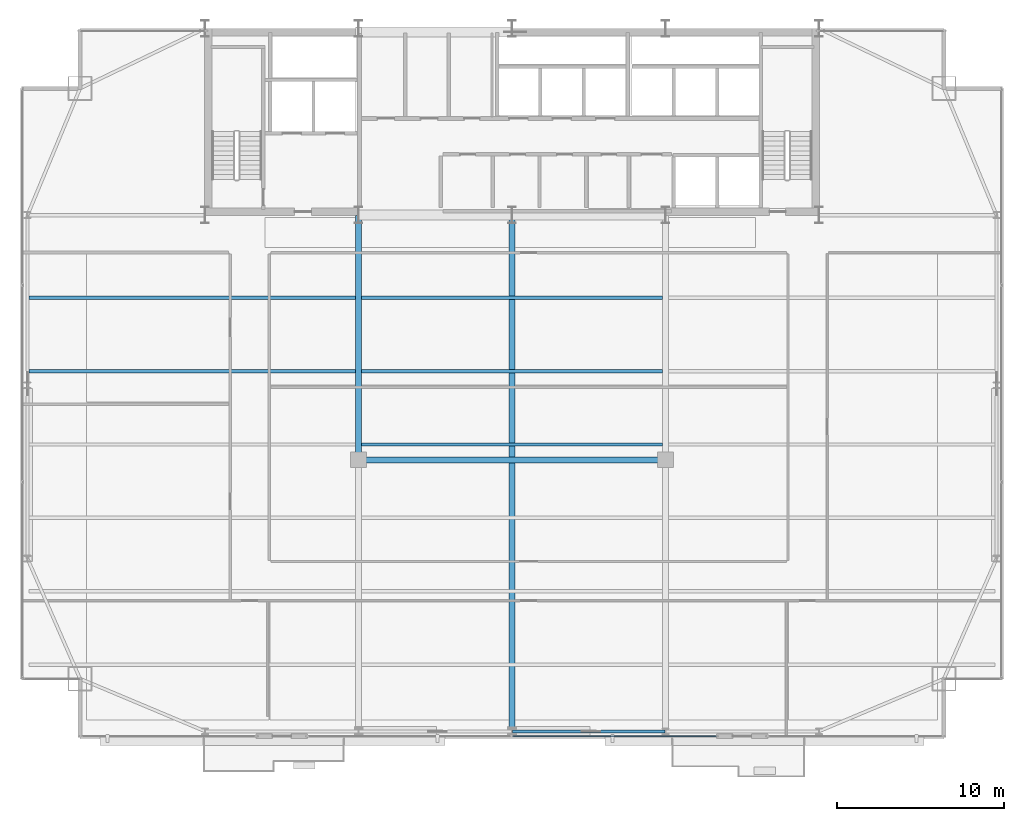
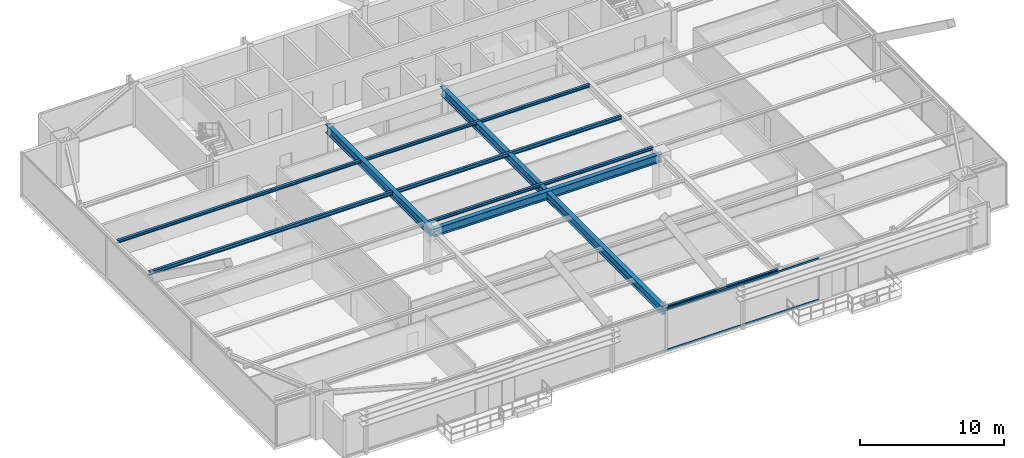
# One storey, part 11 of 37: 9 beams, 2 members, 1 element without a shape of its own.
"""IFC4 building model written with IfcOpenShell, lengths in metres."""

from ifc_helpers import new_model, si_unit, direction, frame, origin, origin_2d, place, context, subcontext, project, spatial, hollow_rectangle, i_section, extrude, source, transform, mapped, material, layer, layer_set, material_profile, profile_set, type_object, type_shapes, element, aggregate, save


model = new_model("IFC4")

# Units and contexts
model_context = context("Model", 3, precision=1e-05, world=origin(), true_north=direction((0.0, 1.0)))
body_context = subcontext(model_context, "Body", "Model", "MODEL_VIEW")
ifc_project = project(units=[si_unit("LENGTHUNIT", "METRE"), si_unit("AREAUNIT", "SQUARE_METRE"), si_unit("VOLUMEUNIT", "CUBIC_METRE"), si_unit("PLANEANGLEUNIT", "RADIAN"), si_unit("MASSUNIT", "GRAM", prefix="KILO")], contexts=[model_context])

# Site, building, storey
site_placement = place(None, origin())
site = spatial("IfcSite", under=ifc_project, at=site_placement, CompositionType="ELEMENT")
building_placement = place(site_placement, origin())
building = spatial("IfcBuilding", under=site, at=building_placement, Name="Varnel Quay Broadcast Tower", CompositionType="ELEMENT")
storey_placement = place(building_placement, frame((0.0, 0.0, 106.800048828125)))
storey = spatial("IfcBuildingStorey", under=building, at=storey_placement, Name="L25", CompositionType="ELEMENT", Elevation=106.800048828125)

# Beams
ifc_material_1 = material(Name="Structural Steel CSA G40.21 350W", Category="steel")
ifc_material_profile_1 = material_profile(ifc_material_1, i_section(OverallWidth=0.180908203125, OverallDepth=0.4169921875, WebThickness=0.010986328125, FlangeThickness=0.018310546875, FilletRadius=0.011962890625, at=origin_2d()), Name="W410X85")
ifc_profile_set_1 = profile_set([ifc_material_profile_1], Name="Structural Steel CSA G40.21 350W")
beam_type_1 = type_object("IfcBeamType", Name="Beam_W410X85", PredefinedType="SPANDREL", material=ifc_profile_set_1)
shared_shape_1 = source(origin(), body_context, "Body", "SweptSolid", [
    extrude(i_section(OverallWidth=0.180908203125, OverallDepth=0.4169921875, WebThickness=0.010986328125, FlangeThickness=0.018310546875, FilletRadius=0.011962890625, at=origin_2d()), origin(), (0.0, 0.0, 1.0), 9.159912109375),
])
type_shapes(beam_type_1, [shared_shape_1])
beam_1_placement = place(storey_placement, frame((34.02001953125, 4.64990234375, 3.341552734375), z_axis=(1.0, 0.0, 0.0), x_axis=(0.0, 1.0, 0.0)))
element("IfcBeam", 1, at=beam_1_placement, inside=storey, type_object=beam_type_1, Name="L25 South Spandrel TC-S3-TC-S4", PredefinedType="SPANDREL", context=body_context, shape_type="MappedRepresentation", body=[
    mapped(shared_shape_1, transform((0.0, 0.0, 0.0), x_axis=(1.0, 0.0, 0.0), y_axis=(0.0, 1.0, 0.0), z_axis=(0.0, 0.0, 1.0), scale=1.0)),
])
ifc_material_profile_2 = material_profile(ifc_material_1, i_section(OverallWidth=0.35498046875, OverallDepth=0.695068359375, WebThickness=0.015380859375, FlangeThickness=0.02490234375, FilletRadius=0.01806640625, at=origin_2d()), Name="W690X217")
ifc_profile_set_2 = profile_set([ifc_material_profile_2], Name="Structural Steel CSA G40.21 350W")
beam_type_2 = type_object("IfcBeamType", Name="Girder_W690X217", PredefinedType="BEAM", material=ifc_profile_set_2)
shared_shape_2 = source(origin(), body_context, "Body", "SweptSolid", [
    extrude(i_section(OverallWidth=0.35498046875, OverallDepth=0.695068359375, WebThickness=0.015380859375, FlangeThickness=0.02490234375, FilletRadius=0.01806640625, at=origin_2d()), origin(), (0.0, 0.0, 1.0), 14.630126953125),
])
beam_2_placement = place(storey_placement, frame((24.800048828125, 20.949951171875, 3.202392578125), z_axis=(0.0, 1.0, 0.0), x_axis=(-1.0, 0.0, 0.0)))
element("IfcBeam", 2, at=beam_2_placement, inside=storey, type_object=beam_type_2, Name="L25 Primary Girder IC-01-CC-S2", PredefinedType="BEAM", context=body_context, shape_type="MappedRepresentation", body=[
    mapped(shared_shape_2, transform((0.0, 0.0, 0.0), x_axis=(1.0, 0.0, 0.0), y_axis=(0.0, 1.0, 0.0), z_axis=(0.0, 0.0, 1.0), scale=1.0)),
])
shared_shape_3 = source(origin(), body_context, "Body", "SweptSolid", [
    extrude(i_section(OverallWidth=0.35498046875, OverallDepth=0.695068359375, WebThickness=0.015380859375, FlangeThickness=0.02490234375, FilletRadius=0.01806640625, at=origin_2d()), origin(), (0.0, 0.0, 1.0), 18.35986328125),
])
beam_3_placement = place(storey_placement, frame((24.820068359375, 20.929931640625, 3.202392578125), z_axis=(1.0, 0.0, 0.0), x_axis=(0.0, 1.0, 0.0)))
element("IfcBeam", 3, at=beam_3_placement, inside=storey, type_object=beam_type_2, Name="L25 Interior Spine Girder", PredefinedType="BEAM", context=body_context, shape_type="MappedRepresentation", body=[
    mapped(shared_shape_3, transform((0.0, 0.0, 0.0), x_axis=(1.0, 0.0, 0.0), y_axis=(0.0, 1.0, 0.0), z_axis=(0.0, 0.0, 1.0), scale=1.0)),
])
shared_shape_4 = source(origin(), body_context, "Body", "SweptSolid", [
    extrude(i_section(OverallWidth=0.35498046875, OverallDepth=0.695068359375, WebThickness=0.015380859375, FlangeThickness=0.02490234375, FilletRadius=0.01806640625, at=origin_2d()), origin(), (0.0, 0.0, 1.0), 30.91015625),
])
type_shapes(beam_type_2, [shared_shape_2, shared_shape_3, shared_shape_4])
beam_4_placement = place(storey_placement, frame((34.0, 4.669921875, 3.202392578125), z_axis=(0.0, 1.0, 0.0), x_axis=(-1.0, 0.0, 0.0)))
element("IfcBeam", 4, at=beam_4_placement, inside=storey, type_object=beam_type_2, Name="L25 Central Bay Girder", PredefinedType="BEAM", context=body_context, shape_type="MappedRepresentation", body=[
    mapped(shared_shape_4, transform((0.0, 0.0, 0.0), x_axis=(1.0, 0.0, 0.0), y_axis=(0.0, 1.0, 0.0), z_axis=(0.0, 0.0, 1.0), scale=1.0)),
])
ifc_material_profile_3 = material_profile(ifc_material_1, i_section(OverallWidth=0.202880859375, OverallDepth=0.302978515625, WebThickness=0.007568359375, FlangeThickness=0.01318359375, FilletRadius=0.011962890625, at=origin_2d()), Name="W310X60")
ifc_profile_set_3 = profile_set([ifc_material_profile_3], Name="Structural Steel CSA G40.21 350W")
beam_type_3 = type_object("IfcBeamType", Name="Beam_W310X60", PredefinedType="JOIST", material=ifc_profile_set_3)
shared_shape_5 = source(origin(), body_context, "Body", "SweptSolid", [
    extrude(i_section(OverallWidth=0.202880859375, OverallDepth=0.302978515625, WebThickness=0.007568359375, FlangeThickness=0.01318359375, FilletRadius=0.011962890625, at=origin_2d()), origin(), (0.0, 0.0, 1.0), 19.592041015625),
])
beam_5_placement = place(storey_placement, frame((5.035400390625, 26.25, 3.3984375), z_axis=(1.0, 0.0, 0.0), x_axis=(0.0, 1.0, 0.0)))
element("IfcBeam", 5, at=beam_5_placement, inside=storey, type_object=beam_type_3, Name="L25 West Floor Joist 5", PredefinedType="JOIST", context=body_context, shape_type="MappedRepresentation", body=[
    mapped(shared_shape_5, transform((0.0, 0.0, 0.0), x_axis=(1.0, 0.0, 0.0), y_axis=(0.0, 1.0, 0.0), z_axis=(0.0, 0.0, 1.0), scale=1.0)),
])
shared_shape_6 = source(origin(), body_context, "Body", "SweptSolid", [
    extrude(i_section(OverallWidth=0.202880859375, OverallDepth=0.302978515625, WebThickness=0.007568359375, FlangeThickness=0.01318359375, FilletRadius=0.011962890625, at=origin_2d()), origin(), (0.0, 0.0, 1.0), 18.05517578125),
])
type_shapes(beam_type_3, [shared_shape_5, shared_shape_6])
beam_6_placement = place(storey_placement, frame((24.972412109375, 26.25, 3.3984375), z_axis=(1.0, 0.0, 0.0), x_axis=(0.0, 1.0, 0.0)))
element("IfcBeam", 6, at=beam_6_placement, inside=storey, type_object=beam_type_3, Name="L25 Central Floor Joist 5", PredefinedType="JOIST", context=body_context, shape_type="MappedRepresentation", body=[
    mapped(shared_shape_6, transform((0.0, 0.0, 0.0), x_axis=(1.0, 0.0, 0.0), y_axis=(0.0, 1.0, 0.0), z_axis=(0.0, 0.0, 1.0), scale=1.0)),
])
ifc_material_profile_4 = material_profile(ifc_material_1, i_section(OverallWidth=0.201904296875, OverallDepth=0.2470703125, WebThickness=0.00732421875, FlangeThickness=0.010986328125, FilletRadius=0.010986328125, at=origin_2d()), Name="W250X49")
ifc_profile_set_4 = profile_set([ifc_material_profile_4], Name="Structural Steel CSA G40.21 350W")
beam_type_4 = type_object("IfcBeamType", Name="Beam_W250X49", PredefinedType="JOIST", material=ifc_profile_set_4)
shared_shape_7 = source(origin(), body_context, "Body", "SweptSolid", [
    extrude(i_section(OverallWidth=0.201904296875, OverallDepth=0.2470703125, WebThickness=0.00732421875, FlangeThickness=0.010986328125, FilletRadius=0.010986328125, at=origin_2d()), origin(), (0.0, 0.0, 1.0), 19.592041015625),
])
beam_7_placement = place(storey_placement, frame((5.035400390625, 30.64990234375, 3.426513671875), z_axis=(1.0, 0.0, 0.0), x_axis=(0.0, 1.0, 0.0)))
element("IfcBeam", 7, at=beam_7_placement, inside=storey, type_object=beam_type_4, Name="L25 West Floor Joist 6", PredefinedType="JOIST", context=body_context, shape_type="MappedRepresentation", body=[
    mapped(shared_shape_7, transform((0.0, 0.0, 0.0), x_axis=(1.0, 0.0, 0.0), y_axis=(0.0, 1.0, 0.0), z_axis=(0.0, 0.0, 1.0), scale=1.0)),
])
shared_shape_8 = source(origin(), body_context, "Body", "SweptSolid", [
    extrude(i_section(OverallWidth=0.201904296875, OverallDepth=0.2470703125, WebThickness=0.00732421875, FlangeThickness=0.010986328125, FilletRadius=0.010986328125, at=origin_2d()), origin(), (0.0, 0.0, 1.0), 18.05517578125),
])
type_shapes(beam_type_4, [shared_shape_7, shared_shape_8])
for number, where, z_axis, x_axis, name in (
    (8, (24.972412109375, 21.85009765625, 3.426513671875), (1.0, 0.0, 0.0), (0.0, 1.0, 0.0), "L25 Central Floor Joist 4"),
    (9, (24.972412109375, 30.64990234375, 3.426513671875), (1.0, 0.0, 0.0), (0.0, 1.0, 0.0), "L25 Central Floor Joist 6"),
):
    element("IfcBeam", number, at=place(storey_placement, frame(where, z_axis=z_axis, x_axis=x_axis)), inside=storey, type_object=beam_type_4, Name=name, PredefinedType="JOIST", context=body_context, shape_type="MappedRepresentation", body=[
        mapped(shared_shape_8, transform((0.0, 0.0, 0.0), x_axis=(1.0, 0.0, 0.0), y_axis=(0.0, 1.0, 0.0), z_axis=(0.0, 0.0, 1.0), scale=1.0)),
    ])

# Curtain wall, members
ifc_material_2 = material(Name="Anodised Bronze Aluminium 6063-T6", Category="aluminium")
ifc_layer = layer(ifc_material_2, 0.18994140625, Name="Anodised Bronze Aluminium 6063-T6")
ifc_layer_set = layer_set([ifc_layer], Name="Anodised Bronze Aluminium 6063-T6")
curtain_wall_type = type_object("IfcCurtainWallType", Name="CW_LowerTower", PredefinedType="NOTDEFINED", material=ifc_layer_set)
curtain_wall_placement = place(storey_placement, origin())
curtain_wall = element("IfcCurtainWall", 10, at=curtain_wall_placement, inside=storey, type_object=curtain_wall_type, Name="L25 South Unitised Curtain Wall 2", PredefinedType="NOTDEFINED")
ifc_material_profile_5 = material_profile(ifc_material_2, hollow_rectangle(XDim=0.06005859375, YDim=0.14501953125, WallThickness=0.00341796875, at=origin_2d()), Name="ALU60X145X3.5")
ifc_profile_set_5 = profile_set([ifc_material_profile_5], Name="Anodised Bronze Aluminium 6063-T6")
member_type = type_object("IfcMemberType", Name="Tran_CWS-02", PredefinedType="USERDEFINED", material=ifc_profile_set_5)
shared_shape_9 = source(origin(), body_context, "Body", "SweptSolid", [
    extrude(hollow_rectangle(XDim=0.06005859375, YDim=0.14501953125, WallThickness=0.00341796875, at=origin_2d()), origin(), (0.0, 0.0, 1.0), 12.215087890625),
])
type_shapes(member_type, [shared_shape_9])
member_1_placement = place(storey_placement, frame((34.034912109375, 4.35009765625, 0.030029296875), z_axis=(1.0, 0.0, 0.0), x_axis=(0.0, 1.0, 0.0)))
member_1 = element("IfcMember", 11, at=member_1_placement, type_object=member_type, Name="CWS-02 transom 2.1", ObjectType="TRANSOM", PredefinedType="USERDEFINED", context=body_context, shape_type="MappedRepresentation", body=[
    mapped(shared_shape_9, transform((0.0, 0.0, 0.0), x_axis=(1.0, 0.0, 0.0), y_axis=(0.0, 1.0, 0.0), z_axis=(0.0, 0.0, 1.0), scale=1.0)),
])
member_2_placement = place(storey_placement, frame((34.034912109375, 4.35009765625, 3.52001953125), z_axis=(1.0, 0.0, 0.0), x_axis=(0.0, 1.0, 0.0)))
member_2 = element("IfcMember", 12, at=member_2_placement, type_object=member_type, Name="CWS-02 transom 2.2", ObjectType="TRANSOM", PredefinedType="USERDEFINED", context=body_context, shape_type="MappedRepresentation", body=[
    mapped(shared_shape_9, transform((0.0, 0.0, 0.0), x_axis=(1.0, 0.0, 0.0), y_axis=(0.0, 1.0, 0.0), z_axis=(0.0, 0.0, 1.0), scale=1.0)),
])
aggregate(curtain_wall, [member_1, member_2])

save(model, "model.ifc")
